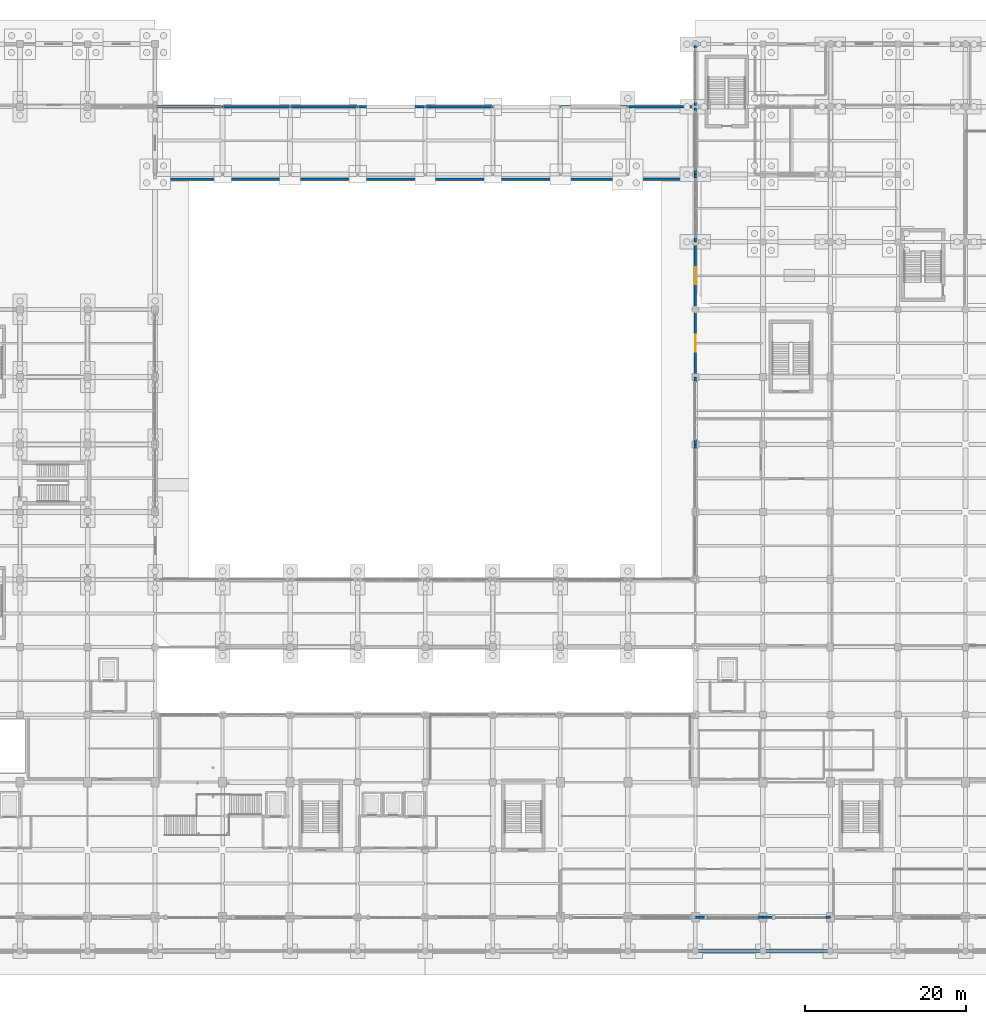
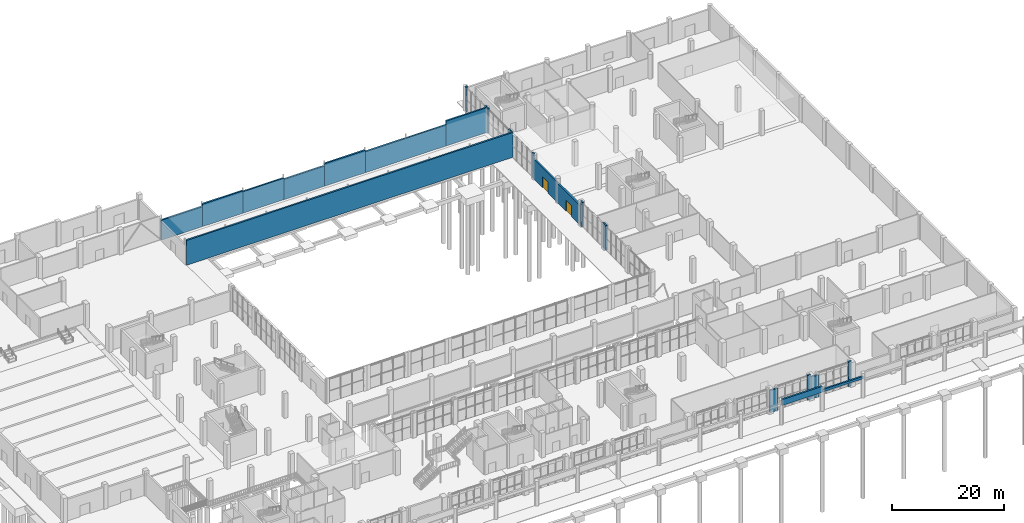
# One storey, part 70 of 82: 25 walls, 2 doors, 2 openings.
"""IFC4 building model written with IfcOpenShell, lengths in metres."""

import ifcopenshell
import ifcopenshell.guid

model = None  # the IFC model being written
_history = None  # IfcOwnerHistory: only IFC2X3 demands one
_inside = {}  # id of a spatial element -> (the spatial element, [elements in it])
_under = {}  # id of a project, library or spatial element -> (it, [spatial elements below it])
_declared = {}  # id of a project -> (the project, [libraries it declares])
_typed = {}  # id of a type object -> (the type object, [elements of that type])
_made_of = {}  # id of a material, layer set ... -> (it, [elements and type objects made of it])


def new_model(schema):
    """Start an empty IFC model of exactly this schema.

    Asked for "IFC4X3", IfcOpenShell would pick the latest addendum, in which some entities
    have other attributes; the version numbers below select the first issue.
    IFC2X3 requires an IfcOwnerHistory on every rooted entity: one is made here for all.
    """
    global model, _history
    if schema == "IFC4X3":
        model = ifcopenshell.file(schema_version=(4, 3, 0, 0))
    else:
        model = ifcopenshell.file(schema=schema)
    _inside.clear()
    _under.clear()
    _declared.clear()
    _typed.clear()
    _made_of.clear()
    _history = None
    if model.schema == "IFC2X3":
        org = make("IfcOrganization", Name="unknown")
        user = make(
            "IfcPersonAndOrganization",
            ThePerson=make("IfcPerson", FamilyName="unknown"),
            TheOrganization=org,
        )
        app = make(
            "IfcApplication",
            ApplicationDeveloper=org,
            Version="unknown",
            ApplicationFullName="unknown",
            ApplicationIdentifier="unknown",
        )
        _history = make(
            "IfcOwnerHistory",
            OwningUser=user,
            OwningApplication=app,
            ChangeAction="ADDED",
            CreationDate=0,
        )
    return model


def make(cls, **values):
    """One entity of the class cls with the attributes given. An attribute that is None is left unset."""
    return model.create_entity(
        cls, **{name: value for name, value in values.items() if value is not None}
    )


def rooted(cls, **values):
    """An entity with a GlobalId (a new one), such as an element, a storey or a relation."""
    return make(cls, GlobalId=ifcopenshell.guid.new(), OwnerHistory=_history, **values)


def si_unit(unit_type, name, prefix=None):
    """IfcSIUnit, for example si_unit("LENGTHUNIT", "METRE", prefix="MILLI")."""
    return make("IfcSIUnit", UnitType=unit_type, Prefix=prefix, Name=name)


def derived_unit(unit_type, elements):
    """IfcDerivedUnit: a product of units, each with its exponent."""
    return make(
        "IfcDerivedUnit",
        Elements=[
            make("IfcDerivedUnitElement", Unit=unit, Exponent=power)
            for unit, power in elements
        ],
        UnitType=unit_type,
    )


def assignment(units):
    """IfcUnitAssignment: the units of a project."""
    return None if units is None else make("IfcUnitAssignment", Units=units)


def point(xyz):
    """IfcCartesianPoint."""
    return None if xyz is None else make("IfcCartesianPoint", Coordinates=xyz)


def direction(xyz):
    """IfcDirection."""
    return None if xyz is None else make("IfcDirection", DirectionRatios=xyz)


def frame(location, z_axis=None, x_axis=None):
    """IfcAxis2Placement3D, a coordinate frame: its origin and axes. An axis left out is left unset."""
    return make(
        "IfcAxis2Placement3D",
        Location=point(location),
        Axis=direction(z_axis),
        RefDirection=direction(x_axis),
    )


def frame_2d(location, x_axis=None):
    """IfcAxis2Placement2D, a coordinate frame in the plane: its origin and x axis."""
    return make(
        "IfcAxis2Placement2D", Location=point(location), RefDirection=direction(x_axis)
    )


def origin():
    """The frame at (0, 0, 0) with its axes left unset."""
    return frame((0.0, 0.0, 0.0))


def place(relative_to, where):
    """IfcLocalPlacement: puts the frame where relative to a parent placement (None: the world)."""
    return make(
        "IfcLocalPlacement", PlacementRelTo=relative_to, RelativePlacement=where
    )


def context(
    kind, dimensions, precision=None, world=None, true_north=None, identifier=None
):
    """IfcGeometricRepresentationContext, for example the 3D "Model" context."""
    return make(
        "IfcGeometricRepresentationContext",
        ContextIdentifier=identifier,
        ContextType=kind,
        CoordinateSpaceDimension=dimensions,
        Precision=precision,
        WorldCoordinateSystem=world,
        TrueNorth=true_north,
    )


def subcontext(parent, identifier, kind, view, scale=None):
    """IfcGeometricRepresentationSubContext, for example "Body" below "Model"."""
    return make(
        "IfcGeometricRepresentationSubContext",
        ContextIdentifier=identifier,
        ContextType=kind,
        ParentContext=parent,
        TargetScale=scale,
        TargetView=view,
    )


def project(units=None, contexts=None):
    """IfcProject with its units and contexts."""
    return rooted(
        "IfcProject",
        Name="project",
        RepresentationContexts=contexts,
        UnitsInContext=assignment(units),
    )


def spatial(cls, under=None, at=None, **own):
    """A site, building, storey or space (cls), placed at a placement, below another one or the project."""
    s = rooted(cls, ObjectPlacement=at, **own)
    if under is not None:
        _under.setdefault(under.id(), (under, []))[1].append(s)
    return s


def profile(cls, at=None, kind="AREA", **sizes):
    """A parametric profile (cls). Its sizes go by their IFC names, for example OverallWidth=200.0."""
    return make(cls, ProfileType=kind, Position=at, **sizes)


def rectangle(**sizes):
    """IfcRectangleProfileDef."""
    return profile("IfcRectangleProfileDef", **sizes)


def extrude(swept, where, along, depth):
    """IfcExtrudedAreaSolid: the profile swept, set in the frame where, extruded along a direction by depth."""
    return make(
        "IfcExtrudedAreaSolid",
        SweptArea=swept,
        Position=where,
        ExtrudedDirection=direction(along),
        Depth=depth,
    )


def shape(context_of_items, identifier, shape_type, items):
    """IfcShapeRepresentation: the items that make up one representation, for example the "Body"."""
    return make(
        "IfcShapeRepresentation",
        ContextOfItems=context_of_items,
        RepresentationIdentifier=identifier,
        RepresentationType=shape_type,
        Items=items,
    )


def material(Name=None, Category=None):
    """IfcMaterial."""
    return make("IfcMaterial", Name=Name, Category=Category)


def layer(
    of_material, thickness, ventilated=None, Name=None, Category=None, Priority=None
):
    """IfcMaterialLayer: one layer of a wall or slab, of a material (None: an air gap)."""
    return make(
        "IfcMaterialLayer",
        Material=of_material,
        LayerThickness=thickness,
        IsVentilated=ventilated,
        Name=Name,
        Category=Category,
        Priority=Priority,
    )


def layer_set(layers, Name=None):
    """IfcMaterialLayerSet."""
    return make("IfcMaterialLayerSet", MaterialLayers=layers, LayerSetName=Name)


def made_of(thing, what):
    """Note that an element or type object is made of a material, layer set ...; save() writes the relation."""
    if what is not None:
        _made_of.setdefault(what.id(), (what, []))[1].append(thing)
    return thing


def type_object(cls, material=None, **own):
    """A type object (cls), such as IfcWallType, which elements share."""
    return made_of(rooted(cls, **own), material)


def element(
    cls,
    number,
    at=None,
    inside=None,
    cuts=None,
    type_object=None,
    material=None,
    context=None,
    identifier="Body",
    shape_type=None,
    held_by="IfcProductDefinitionShape",
    body=None,
    shapes=None,
    **own,
):
    """One element of the class cls, such as IfcWall. Its Tag is "e" and its number.

    at: its placement. inside: the storey or other place that contains it. cuts: it is an
    opening in that element (IfcRelVoidsElement). A single representation is given by context,
    identifier, shape_type and body (its items); several are given by shapes. held_by: the class
    of the entity that holds the representations. save() writes the other relations.
    """
    e = rooted(cls, Tag="e%d" % number, ObjectPlacement=at, **own)
    if body is not None:
        shapes = [shape(context, identifier, shape_type, body)]
    if shapes is not None:
        e.Representation = make(held_by, Representations=shapes)
    if inside is not None:
        _inside.setdefault(inside.id(), (inside, []))[1].append(e)
    if cuts is not None:
        rooted(
            "IfcRelVoidsElement", RelatingBuildingElement=cuts, RelatedOpeningElement=e
        )
    if type_object is not None:
        _typed.setdefault(type_object.id(), (type_object, []))[1].append(e)
    return made_of(e, material)


def fill(opening, filler):
    """IfcRelFillsElement: the door or window that sits in an opening."""
    return rooted(
        "IfcRelFillsElement",
        RelatingOpeningElement=opening,
        RelatedBuildingElement=filler,
    )


def aggregate(whole, parts):
    """IfcRelAggregates: a whole, such as a stair, and the parts it consists of."""
    return rooted("IfcRelAggregates", RelatingObject=whole, RelatedObjects=parts)


def save(model, path):
    """Write the relations noted so far, then the file.

    IfcRelAggregates (storeys below a building ...), IfcRelContainedInSpatialStructure (elements
    in a storey), IfcRelDefinesByType, IfcRelAssociatesMaterial and IfcRelDeclares: one each for
    every whole, place, type object, material and project.
    """
    for whole, parts in _under.values():
        aggregate(whole, parts)
    for where, things in _inside.values():
        rooted(
            "IfcRelContainedInSpatialStructure",
            RelatedElements=things,
            RelatingStructure=where,
        )
    for kind, things in _typed.values():
        rooted("IfcRelDefinesByType", RelatedObjects=things, RelatingType=kind)
    for what, things in _made_of.values():
        rooted("IfcRelAssociatesMaterial", RelatedObjects=things, RelatingMaterial=what)
    for by, libraries in _declared.values():
        rooted("IfcRelDeclares", RelatingContext=by, RelatedDefinitions=libraries)
    model.write(path)


model = new_model("IFC4")

# Units and contexts
model_context = context("Model", 3, precision=1e-05, world=origin(), true_north=direction((0.0, 1.0)))
body_context = subcontext(model_context, "Body", "Model", "MODEL_VIEW")
ifc_project = project(units=[si_unit("LENGTHUNIT", "METRE"), si_unit("AREAUNIT", "SQUARE_METRE"), si_unit("VOLUMEUNIT", "CUBIC_METRE"), si_unit("PLANEANGLEUNIT", "RADIAN"), si_unit("MASSUNIT", "GRAM", prefix="KILO"), derived_unit("THERMALTRANSMITTANCEUNIT", [(si_unit("POWERUNIT", "WATT"), 1), (si_unit("LENGTHUNIT", "METRE"), -2), (si_unit("THERMODYNAMICTEMPERATUREUNIT", "KELVIN"), -1)])], contexts=[model_context])

# Site, building, storey
site_placement = place(None, origin())
site = spatial("IfcSite", under=ifc_project, at=site_placement, CompositionType="ELEMENT")
building_placement = place(site_placement, origin())
building = spatial("IfcBuilding", under=site, at=building_placement, Name="Barrovel Congress Hotel", CompositionType="ELEMENT")
storey_placement = place(building_placement, origin())
storey = spatial("IfcBuildingStorey", under=building, at=storey_placement, Name="L00", CompositionType="ELEMENT", Elevation=0.0)

# Walls
ifc_material_1 = material(Name="Fired Clay Brick Masonry", Category="masonry")
ifc_layer_1 = layer(ifc_material_1, 0.35009765625)
ifc_layer_set_1 = layer_set([ifc_layer_1], Name="Fired Clay Brick Masonry")
wall_type_1 = type_object("IfcWallType", Name="EW-ARC350", PredefinedType="STANDARD", material=ifc_layer_set_1)
wall_1_placement = place(storey_placement, frame((126.0, 0.0, 4.10009765625), z_axis=(0.0, 0.0, 1.0), x_axis=(1.0, 0.0, 0.0)))
element("IfcWall", 1, at=wall_1_placement, inside=storey, type_object=wall_type_1, Name="EW:L00:ARC:15", PredefinedType="STANDARD", context=body_context, shape_type="SweptSolid", body=[
    extrude(rectangle(XDim=8.39990234375, YDim=0.35009765625, at=frame_2d((4.199951171875, 0.0))), origin(), (0.0, 0.0, 1.0), 1.2998046875),
])
wall_2_placement = place(storey_placement, frame((134.39990234375, 0.0, 4.10009765625), z_axis=(0.0, 0.0, 1.0), x_axis=(1.0, 0.0, 0.0)))
element("IfcWall", 2, at=wall_2_placement, inside=storey, type_object=wall_type_1, Name="EW:L00:ARC:16", PredefinedType="STANDARD", context=body_context, shape_type="SweptSolid", body=[
    extrude(rectangle(XDim=8.400146484375, YDim=0.35009765625, at=frame_2d((4.2001953125, 0.0))), origin(), (0.0, 0.0, 1.0), 0.539794921875),
])
ifc_layer_2 = layer(ifc_material_1, 0.340087890625)
ifc_layer_set_2 = layer_set([ifc_layer_2], Name="Fired Clay Brick Masonry")
wall_type_2 = type_object("IfcWallType", Name="EW-BRK340", PredefinedType="STANDARD", material=ifc_layer_set_2)
wall_3_placement = place(storey_placement, frame((126.0, 63.0, 0.0), z_axis=(0.0, 0.0, 1.0), x_axis=(0.0, -1.0, 0.0)))
element("IfcWall", 3, at=wall_3_placement, inside=storey, type_object=wall_type_2, Name="EW:L00:CEJ-B:54.6", PredefinedType="STANDARD", context=body_context, shape_type="SweptSolid", body=[
    extrude(rectangle(XDim=0.60009765625, YDim=0.340087890625, at=frame_2d((0.300048828125, 0.0))), origin(), (0.0, 0.0, 1.0), 5.39990234375),
])
wall_4_placement = place(storey_placement, frame((126.0, 71.39990234375, 0.0), z_axis=(0.0, 0.0, 1.0), x_axis=(0.0, -1.0, 0.0)))
element("IfcWall", 4, at=wall_4_placement, inside=storey, type_object=wall_type_2, Name="EW:L00:CEJ-B:63.0", PredefinedType="STANDARD", context=body_context, shape_type="SweptSolid", body=[
    extrude(rectangle(XDim=0.599853515625, YDim=0.340087890625, at=frame_2d((0.2998046875, 0.0))), origin(), (0.0, 0.0, 1.0), 5.39990234375),
])
wall_5_placement = place(storey_placement, frame((126.0, 63.60009765625, 0.0), z_axis=(0.0, 0.0, 1.0), x_axis=(0.0, -1.0, 0.0)))
element("IfcWall", 5, at=wall_5_placement, inside=storey, type_object=wall_type_2, Name="EW:L00:CEJ-A:63.0", PredefinedType="STANDARD", context=body_context, shape_type="SweptSolid", body=[
    extrude(rectangle(XDim=0.60009765625, YDim=0.340087890625, at=frame_2d((0.300048828125, 0.0))), origin(), (0.0, 0.0, 1.0), 5.39990234375),
])

# Wall, opening, door
wall_6_placement = place(storey_placement, frame((126.0, 79.800048828125, 0.0), z_axis=(0.0, 0.0, 1.0), x_axis=(0.0, -1.0, 0.0)))
wall_6 = element("IfcWall", 6, at=wall_6_placement, inside=storey, type_object=wall_type_2, Name="EW:L00:CE-EXIT:71.4", PredefinedType="STANDARD", context=body_context, shape_type="SweptSolid", body=[
    extrude(rectangle(XDim=8.400146484375, YDim=0.340087890625, at=frame_2d((4.2001953125, 0.0))), origin(), (0.0, 0.0, 1.0), 4.239990234375),
])
opening_1_placement = place(wall_6_placement, frame((5.25, 0.0, 0.0), z_axis=(0.0, 0.0, 1.0), x_axis=(-1.0, 0.0, 0.0)))
opening_1 = element("IfcOpeningElement", 7, at=opening_1_placement, cuts=wall_6, Name="Opening ED-01", PredefinedType="OPENING", context=body_context, shape_type="SweptSolid", body=[
    extrude(rectangle(XDim=2.10009765625, YDim=2.39990234375, at=frame_2d((1.050048828125, 1.199951171875))), frame((0.0, 0.18017578125, 0.0), z_axis=(0.0, -1.0, 0.0), x_axis=(1.0, 0.0, 0.0)), (0.0, 0.0, 1.0), 0.360107421875),
])
ifc_material_2 = material(Name="Anodised Aluminium Glazed Door", Category="aluminium")
door_type = type_object("IfcDoorType", Name="EDR-ED-01", OperationType="NOTDEFINED", PredefinedType="DOOR", material=ifc_material_2)
door_1_placement = place(opening_1_placement, origin())
door_1 = element("IfcDoor", 8, at=door_1_placement, inside=storey, type_object=door_type, Name="Grade Exit Door E-14", OperationType="DOUBLE_DOOR_SINGLE_SWING", OverallHeight=2.39990234375, OverallWidth=2.10009765625, PredefinedType="DOOR", context=body_context, shape_type="SweptSolid", body=[
    extrude(rectangle(XDim=2.10009765625, YDim=2.39990234375, at=frame_2d((1.050048828125, 1.199951171875))), frame((0.0, 0.02490234375, 0.0), z_axis=(0.0, -1.0, 0.0), x_axis=(1.0, 0.0, 0.0)), (0.0, 0.0, 1.0), 0.050048828125),
])
fill(opening_1, door_1)

wall_7_placement = place(storey_placement, frame((126.0, 88.199951171875, 0.0), z_axis=(0.0, 0.0, 1.0), x_axis=(0.0, -1.0, 0.0)))
wall_7 = element("IfcWall", 9, at=wall_7_placement, inside=storey, type_object=wall_type_2, Name="EW:L00:CE-EXIT:79.8", PredefinedType="STANDARD", context=body_context, shape_type="SweptSolid", body=[
    extrude(rectangle(XDim=8.39990234375, YDim=0.340087890625, at=frame_2d((4.199951171875, 0.0))), origin(), (0.0, 0.0, 1.0), 4.340087890625),
])
opening_2_placement = place(wall_7_placement, frame((5.25, 0.0, 0.0), z_axis=(0.0, 0.0, 1.0), x_axis=(-1.0, 0.0, 0.0)))
opening_2 = element("IfcOpeningElement", 10, at=opening_2_placement, cuts=wall_7, Name="Opening ED-01", PredefinedType="OPENING", context=body_context, shape_type="SweptSolid", body=[
    extrude(rectangle(XDim=2.10009765625, YDim=2.39990234375, at=frame_2d((1.050048828125, 1.199951171875))), frame((0.0, 0.18017578125, 0.0), z_axis=(0.0, -1.0, 0.0), x_axis=(1.0, 0.0, 0.0)), (0.0, 0.0, 1.0), 0.360107421875),
])
door_2_placement = place(opening_2_placement, origin())
door_2 = element("IfcDoor", 11, at=door_2_placement, inside=storey, type_object=door_type, Name="Grade Exit Door E-15", OperationType="DOUBLE_DOOR_SINGLE_SWING", OverallHeight=2.39990234375, OverallWidth=2.10009765625, PredefinedType="DOOR", context=body_context, shape_type="SweptSolid", body=[
    extrude(rectangle(XDim=2.10009765625, YDim=2.39990234375, at=frame_2d((1.050048828125, 1.199951171875))), frame((0.0, 0.02490234375, 0.0), z_axis=(0.0, -1.0, 0.0), x_axis=(1.0, 0.0, 0.0)), (0.0, 0.0, 1.0), 0.050048828125),
])
fill(opening_2, door_2)

# Walls
wall_8_placement = place(storey_placement, frame((126.0, 96.60009765625, 0.0), z_axis=(0.0, 0.0, 1.0), x_axis=(0.0, -1.0, 0.0)))
element("IfcWall", 12, at=wall_8_placement, inside=storey, type_object=wall_type_2, Name="EW:L00:CEJ-B:88.2", PredefinedType="STANDARD", context=body_context, shape_type="SweptSolid", body=[
    extrude(rectangle(XDim=0.43017578125, YDim=0.340087890625, at=frame_2d((0.215087890625, 0.0))), origin(), (0.0, 0.0, 1.0), 5.39990234375),
])
wall_9_placement = place(storey_placement, frame((126.0, 88.800048828125, 0.0), z_axis=(0.0, 0.0, 1.0), x_axis=(0.0, -1.0, 0.0)))
element("IfcWall", 13, at=wall_9_placement, inside=storey, type_object=wall_type_2, Name="EW:L00:CEJ-A:88.2", PredefinedType="STANDARD", context=body_context, shape_type="SweptSolid", body=[
    extrude(rectangle(XDim=0.60009765625, YDim=0.340087890625, at=frame_2d((0.300048828125, 0.0))), origin(), (0.0, 0.0, 1.0), 5.39990234375),
])
wall_10_placement = place(storey_placement, frame((126.0, 104.830078125, 0.0), z_axis=(0.0, 0.0, 1.0), x_axis=(0.0, -1.0, 0.0)))
element("IfcWall", 14, at=wall_10_placement, inside=storey, type_object=wall_type_2, Name="EW:L00:CEJ-B:96.6", PredefinedType="STANDARD", context=body_context, shape_type="SweptSolid", body=[
    extrude(rectangle(XDim=0.43017578125, YDim=0.340087890625, at=frame_2d((0.215087890625, 0.0))), origin(), (0.0, 0.0, 1.0), 5.39990234375),
])
wall_11_placement = place(storey_placement, frame((126.0, 97.199951171875, 0.0), z_axis=(0.0, 0.0, 1.0), x_axis=(0.0, -1.0, 0.0)))
element("IfcWall", 15, at=wall_11_placement, inside=storey, type_object=wall_type_2, Name="EW:L00:CEJ-A:96.6", PredefinedType="STANDARD", context=body_context, shape_type="SweptSolid", body=[
    extrude(rectangle(XDim=0.599853515625, YDim=0.340087890625, at=frame_2d((0.2998046875, 0.0))), origin(), (0.0, 0.0, 1.0), 5.39990234375),
])
wall_12_placement = place(storey_placement, frame((126.0, 112.6201171875, 0.0), z_axis=(0.0, 0.0, 1.0), x_axis=(0.0, -1.0, 0.0)))
element("IfcWall", 16, at=wall_12_placement, inside=storey, type_object=wall_type_2, Name="EW:L00:CEJ-B:105.0", PredefinedType="STANDARD", context=body_context, shape_type="SweptSolid", body=[
    extrude(rectangle(XDim=0.420166015625, YDim=0.340087890625, at=frame_2d((0.2099609375, 0.0))), origin(), (0.0, 0.0, 1.0), 5.39990234375),
])
wall_13_placement = place(storey_placement, frame((126.0, 105.60009765625, 0.0), z_axis=(0.0, 0.0, 1.0), x_axis=(0.0, -1.0, 0.0)))
element("IfcWall", 17, at=wall_13_placement, inside=storey, type_object=wall_type_2, Name="EW:L00:CEJ-A:105.0", PredefinedType="STANDARD", context=body_context, shape_type="SweptSolid", body=[
    extrude(rectangle(XDim=0.43017578125, YDim=0.340087890625, at=frame_2d((0.215087890625, 0.0))), origin(), (0.0, 0.0, 1.0), 5.39990234375),
])
wall_14_placement = place(storey_placement, frame((58.800048828125, 96.0, 0.0), z_axis=(0.0, 0.0, 1.0), x_axis=(1.0, 0.0, 0.0)))
element("IfcWall", 18, at=wall_14_placement, inside=storey, type_object=wall_type_2, Name="EW:L00:NPV-S", PredefinedType="STANDARD", context=body_context, shape_type="SweptSolid", body=[
    extrude(rectangle(XDim=67.199951171875, YDim=0.340087890625, at=frame_2d((33.60009765625, 0.0))), origin(), (0.0, 0.0, 1.0), 5.39990234375),
])
wall_15_placement = place(storey_placement, frame((117.46337890625, 105.0, 0.0), z_axis=(0.0, 0.0, 1.0), x_axis=(-1.0, 0.0, 0.0)))
element("IfcWall", 19, at=wall_15_placement, inside=storey, type_object=wall_type_2, Name="EW:L00:NPV-N", PredefinedType="STANDARD", context=body_context, shape_type="SweptSolid", body=[
    extrude(rectangle(XDim=16.66357421875, YDim=0.340087890625, at=frame_2d((8.331787109375, 0.0))), origin(), (0.0, 0.0, 1.0), 4.537109375),
])
wall_16_placement = place(storey_placement, frame((126.0, 105.0, 0.0), z_axis=(0.0, 0.0, 1.0), x_axis=(-1.0, 0.0, 0.0)))
element("IfcWall", 20, at=wall_16_placement, inside=storey, type_object=wall_type_2, Name="EW:L00:NPV-N:P01", PredefinedType="STANDARD", context=body_context, shape_type="SweptSolid", body=[
    extrude(rectangle(XDim=8.53662109375, YDim=0.340087890625, at=frame_2d((4.268310546875, 0.0))), origin(), (0.0, 0.0, 1.0), 5.39990234375),
])
wall_17_placement = place(storey_placement, frame((100.7998046875, 105.0, 0.0), z_axis=(0.0, 0.0, 1.0), x_axis=(-1.0, 0.0, 0.0)))
element("IfcWall", 21, at=wall_17_placement, inside=storey, type_object=wall_type_2, Name="EW:L00:NPV-N:P03", PredefinedType="STANDARD", context=body_context, shape_type="SweptSolid", body=[
    extrude(rectangle(XDim=8.39990234375, YDim=0.340087890625, at=frame_2d((4.199951171875, 0.0))), origin(), (0.0, 0.0, 1.0), 4.89306640625),
])
wall_18_placement = place(storey_placement, frame((92.39990234375, 105.0, 0.0), z_axis=(0.0, 0.0, 1.0), x_axis=(-1.0, 0.0, 0.0)))
element("IfcWall", 22, at=wall_18_placement, inside=storey, type_object=wall_type_2, Name="EW:L00:NPV-N:P04", PredefinedType="STANDARD", context=body_context, shape_type="SweptSolid", body=[
    extrude(rectangle(XDim=8.39990234375, YDim=0.340087890625, at=frame_2d((4.199951171875, 0.0))), origin(), (0.0, 0.0, 1.0), 4.389892578125),
])
wall_19_placement = place(storey_placement, frame((84.0, 105.0, 0.0), z_axis=(0.0, 0.0, 1.0), x_axis=(-1.0, 0.0, 0.0)))
element("IfcWall", 23, at=wall_19_placement, inside=storey, type_object=wall_type_2, Name="EW:L00:NPV-N:P05", PredefinedType="STANDARD", context=body_context, shape_type="SweptSolid", body=[
    extrude(rectangle(XDim=8.39990234375, YDim=0.340087890625, at=frame_2d((4.199951171875, 0.0))), origin(), (0.0, 0.0, 1.0), 4.680908203125),
])
wall_20_placement = place(storey_placement, frame((75.60009765625, 105.0, 0.0), z_axis=(0.0, 0.0, 1.0), x_axis=(-1.0, 0.0, 0.0)))
element("IfcWall", 24, at=wall_20_placement, inside=storey, type_object=wall_type_2, Name="EW:L00:NPV-N:P06", PredefinedType="STANDARD", context=body_context, shape_type="SweptSolid", body=[
    extrude(rectangle(XDim=8.39990234375, YDim=0.340087890625, at=frame_2d((4.199951171875, 0.0))), origin(), (0.0, 0.0, 1.0), 4.885986328125),
])
wall_21_placement = place(storey_placement, frame((67.2001953125, 105.0, 0.0), z_axis=(0.0, 0.0, 1.0), x_axis=(-1.0, 0.0, 0.0)))
element("IfcWall", 25, at=wall_21_placement, inside=storey, type_object=wall_type_2, Name="EW:L00:NPV-N:P07", PredefinedType="STANDARD", context=body_context, shape_type="SweptSolid", body=[
    extrude(rectangle(XDim=8.400146484375, YDim=0.340087890625, at=frame_2d((4.2001953125, 0.0))), origin(), (0.0, 0.0, 1.0), 4.340087890625),
])
ifc_layer_3 = layer(ifc_material_1, 0.360107421875)
ifc_layer_set_3 = layer_set([ifc_layer_3], Name="Fired Clay Brick Masonry")
wall_type_3 = type_object("IfcWallType", Name="EW-BRK360", PredefinedType="STANDARD", material=ifc_layer_set_3)
wall_22_placement = place(storey_placement, frame((126.0, 4.199951171875, 0.0), z_axis=(0.0, 0.0, 1.0), x_axis=(1.0, 0.0, 0.0)))
element("IfcWall", 26, at=wall_22_placement, inside=storey, type_object=wall_type_3, Name="EW:L00:SJ-L:15", PredefinedType="STANDARD", context=body_context, shape_type="SweptSolid", body=[
    extrude(rectangle(XDim=1.6201171875, YDim=0.360107421875, at=frame_2d((0.81005859375, 0.0))), origin(), (0.0, 0.0, 1.0), 4.835205078125),
])
wall_23_placement = place(storey_placement, frame((133.739990234375, 4.199951171875, 0.0), z_axis=(0.0, 0.0, 1.0), x_axis=(1.0, 0.0, 0.0)))
element("IfcWall", 27, at=wall_23_placement, inside=storey, type_object=wall_type_3, Name="EW:L00:SJ-R:15", PredefinedType="STANDARD", context=body_context, shape_type="SweptSolid", body=[
    extrude(rectangle(XDim=0.659912109375, YDim=0.360107421875, at=frame_2d((0.330078125, 0.0))), origin(), (0.0, 0.0, 1.0), 5.39990234375),
])
wall_24_placement = place(storey_placement, frame((134.39990234375, 4.199951171875, 0.0), z_axis=(0.0, 0.0, 1.0), x_axis=(1.0, 0.0, 0.0)))
element("IfcWall", 28, at=wall_24_placement, inside=storey, type_object=wall_type_3, Name="EW:L00:SJ-L:16", PredefinedType="STANDARD", context=body_context, shape_type="SweptSolid", body=[
    extrude(rectangle(XDim=1.6201171875, YDim=0.360107421875, at=frame_2d((0.81005859375, 0.0))), origin(), (0.0, 0.0, 1.0), 4.785888671875),
])
wall_25_placement = place(storey_placement, frame((142.139892578125, 4.199951171875, 0.0), z_axis=(0.0, 0.0, 1.0), x_axis=(1.0, 0.0, 0.0)))
element("IfcWall", 29, at=wall_25_placement, inside=storey, type_object=wall_type_3, Name="EW:L00:SJ-R:16", PredefinedType="STANDARD", context=body_context, shape_type="SweptSolid", body=[
    extrude(rectangle(XDim=0.66015625, YDim=0.360107421875, at=frame_2d((0.330078125, 0.0))), origin(), (0.0, 0.0, 1.0), 5.39990234375),
])

save(model, "model.ifc")
